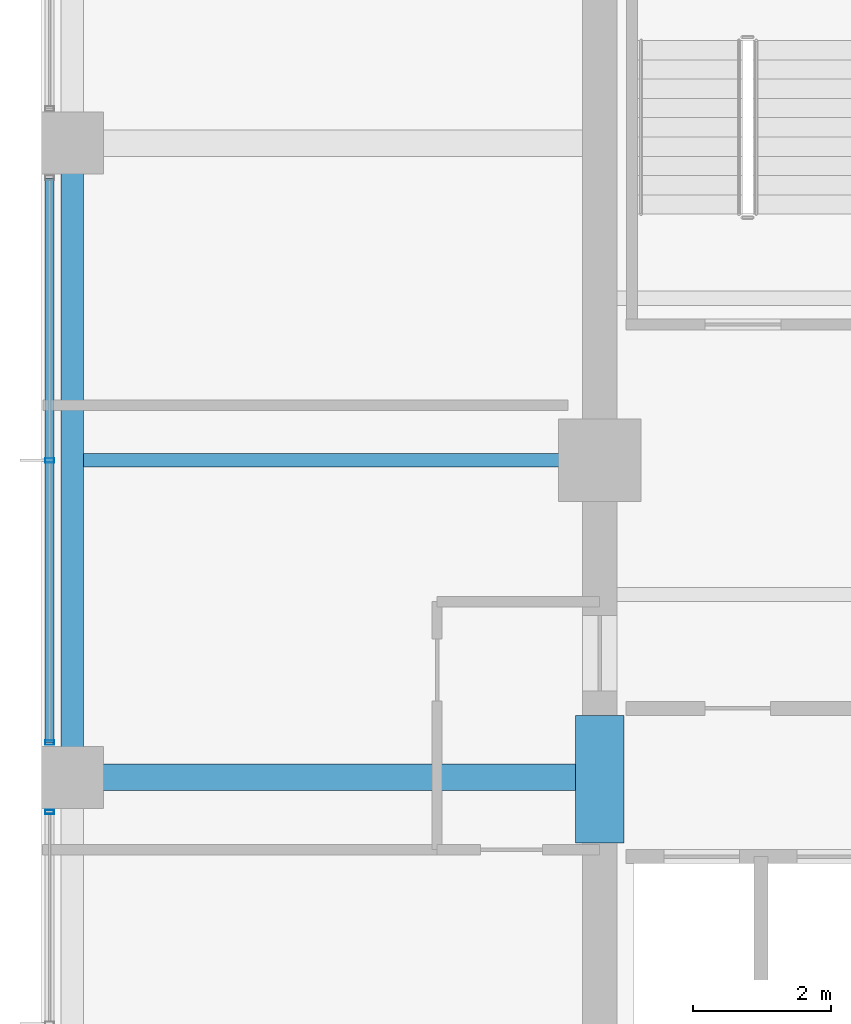
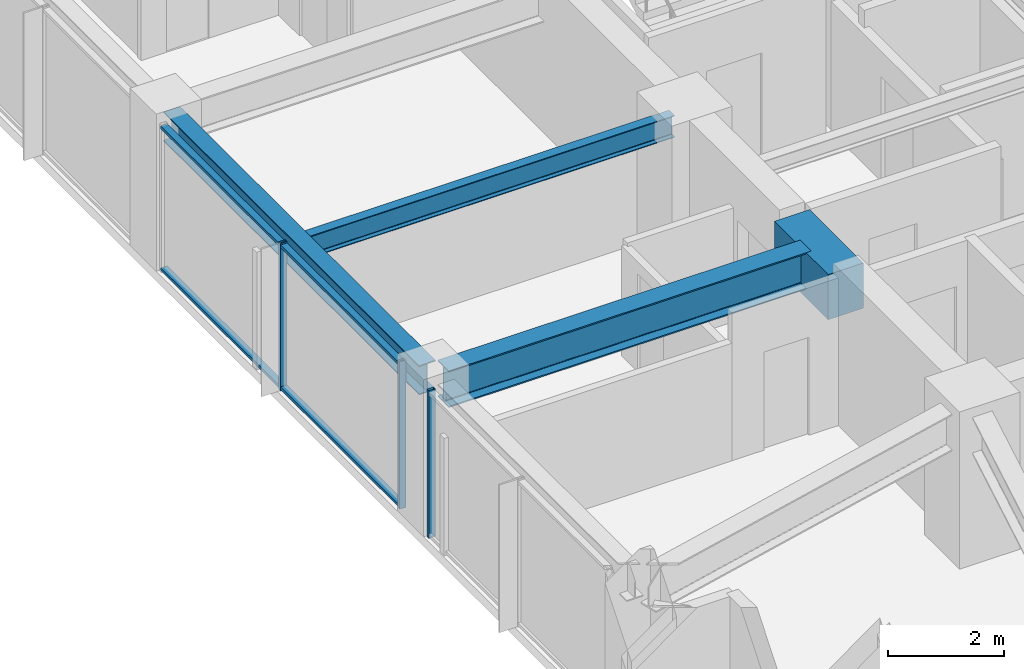
# One storey, part 9 of 31: 5 members, 4 beams, 2 elements without a shape of their own.
"""IFC4 building model written with IfcOpenShell, lengths in metres."""

from ifc_helpers import new_model, si_unit, direction, frame, origin, origin_2d, place, context, subcontext, project, spatial, rectangle, hollow_rectangle, i_section, extrude, material, material_profile, profile_set, type_object, element, aggregate, save


model = new_model("IFC4")

# Units and contexts
model_context = context("Model", 3, precision=1e-05, world=origin(), true_north=direction((0.0, 1.0)))
body_context = subcontext(model_context, "Body", "Model", "MODEL_VIEW")
ifc_project = project(units=[si_unit("LENGTHUNIT", "METRE"), si_unit("AREAUNIT", "SQUARE_METRE"), si_unit("VOLUMEUNIT", "CUBIC_METRE"), si_unit("PLANEANGLEUNIT", "RADIAN"), si_unit("MASSUNIT", "GRAM", prefix="KILO")], contexts=[model_context])

# Site, building, storey
site_placement = place(None, origin())
site = spatial("IfcSite", under=ifc_project, at=site_placement, CompositionType="ELEMENT")
building_placement = place(site_placement, origin())
building = spatial("IfcBuilding", under=site, at=building_placement, Name="Kolvaren Belvedere", CompositionType="ELEMENT")
storey_placement = place(building_placement, frame((0.0, 0.0, 138.199951171875)))
storey = spatial("IfcBuildingStorey", under=building, at=storey_placement, Name="L40", CompositionType="ELEMENT", Elevation=138.199951171875)

# Beams
ifc_material_1 = material(Name="Structural steel ASTM A992 Grade 50", Category="steel")
ifc_material_profile_1 = material_profile(ifc_material_1, i_section(OverallWidth=0.381103515625, OverallDepth=0.77294921875, WebThickness=0.0166015625, FlangeThickness=0.027099609375, FilletRadius=0.02392578125, at=origin_2d()), Name="W30X173")
ifc_profile_set_1 = profile_set([ifc_material_profile_1], Name="Structural steel ASTM A992 Grade 50")
beam_type_1 = type_object("IfcBeamType", Name="BM-GIRD-W30X173", PredefinedType="BEAM", material=ifc_profile_set_1)
beam_1_placement = place(storey_placement, frame((-10.14990234375, -4.60009765625, 2.713623046875), z_axis=(-1.0, 0.0, 0.0), x_axis=(0.0, -1.0, 0.0)))
element("IfcBeam", 1, at=beam_1_placement, inside=storey, type_object=beam_type_1, Name="L40 West Radial Girder M", PredefinedType="BEAM", context=body_context, shape_type="SweptSolid", body=[
    extrude(i_section(OverallWidth=0.381103515625, OverallDepth=0.77294921875, WebThickness=0.0166015625, FlangeThickness=0.027099609375, FilletRadius=0.02392578125, at=origin_2d()), origin(), (0.0, 0.0, 1.0), 7.197509765625),
])
ifc_material_2 = material(Name="Structural steel ASTM A992 Grade 50", Category="steel")
ifc_material_profile_2 = material_profile(ifc_material_2, i_section(OverallWidth=0.19091796875, OverallDepth=0.4599609375, WebThickness=0.010009765625, FlangeThickness=0.01611328125, FilletRadius=0.014892578125, at=origin_2d()), Name="W18X55")
ifc_profile_set_2 = profile_set([ifc_material_profile_2], Name="Structural steel ASTM A992 Grade 50")
beam_type_2 = type_object("IfcBeamType", Name="BM-JOIST-W18X55", PredefinedType="BEAM", material=ifc_profile_set_2)
beam_2_placement = place(storey_placement, frame((-10.14990234375, 0.0, 2.8701171875), z_axis=(-1.0, 0.0, 0.0), x_axis=(0.0, -1.0, 0.0)))
element("IfcBeam", 2, at=beam_2_placement, inside=storey, type_object=beam_type_2, Name="L40 West Centre Floor Beam", PredefinedType="BEAM", context=body_context, shape_type="SweptSolid", body=[
    extrude(i_section(OverallWidth=0.19091796875, OverallDepth=0.4599609375, WebThickness=0.010009765625, FlangeThickness=0.01611328125, FilletRadius=0.014892578125, at=origin_2d()), origin(), (0.0, 0.0, 1.0), 7.237548828125),
])
ifc_material_3 = material(Name="Concrete C60/75", Category="concrete")
ifc_material_profile_3 = material_profile(ifc_material_3, rectangle(XDim=0.699951171875, YDim=0.949951171875, at=origin_2d()), Name="RC 700X950")
ifc_profile_set_3 = profile_set([ifc_material_profile_3], Name="Concrete C60/75")
beam_type_3 = type_object("IfcBeamType", Name="BM-LINT-950", PredefinedType="LINTEL", material=ifc_profile_set_3)
beam_3_placement = place(storey_placement, frame((-9.89990234375, -5.550048828125, 2.625), z_axis=(0.0, 1.0, 0.0), x_axis=(-1.0, 0.0, 0.0)))
element("IfcBeam", 3, at=beam_3_placement, inside=storey, type_object=beam_type_3, Name="L40 West Core Coupling Lintel", PredefinedType="LINTEL", context=body_context, shape_type="SweptSolid", body=[
    extrude(rectangle(XDim=0.699951171875, YDim=0.949951171875, at=origin_2d()), origin(), (0.0, 0.0, 1.0), 1.85009765625),
])
ifc_material_4 = material(Name="Structural steel ASTM A992 Grade 50", Category="steel")
ifc_material_profile_4 = material_profile(ifc_material_4, i_section(OverallWidth=0.324951171875, OverallDepth=0.615966796875, WebThickness=0.013916015625, FlangeThickness=0.021484375, FilletRadius=0.02001953125, at=origin_2d()), Name="W24X117")
ifc_profile_set_4 = profile_set([ifc_material_profile_4], Name="Structural steel ASTM A992 Grade 50")
beam_type_4 = type_object("IfcBeamType", Name="BM-SPAN-W24X117", PredefinedType="SPANDREL", material=ifc_profile_set_4)
beam_4_placement = place(storey_placement, frame((-17.550048828125, 4.3974609375, 2.7919921875), z_axis=(0.0, -1.0, 0.0), x_axis=(1.0, 0.0, 0.0)))
element("IfcBeam", 4, at=beam_4_placement, inside=storey, type_object=beam_type_4, Name="L40 Perimeter Spandrel W3-W2", PredefinedType="SPANDREL", context=body_context, shape_type="SweptSolid", body=[
    extrude(i_section(OverallWidth=0.324951171875, OverallDepth=0.615966796875, WebThickness=0.013916015625, FlangeThickness=0.021484375, FilletRadius=0.02001953125, at=origin_2d()), origin(), (0.0, 0.0, 1.0), 8.794921875),
])

# Curtain wall, member
ifc_material_5 = material(Name="Anodised pale-metal aluminium AA 6063-T6", Category="aluminium")
curtain_wall_type = type_object("IfcCurtainWallType", Name="CW-Z3-WAIST", PredefinedType="NOTDEFINED", material=ifc_material_5)
curtain_wall_1_placement = place(storey_placement, origin())
curtain_wall_1 = element("IfcCurtainWall", 5, at=curtain_wall_1_placement, inside=storey, type_object=curtain_wall_type, Name="L40 Unitised Curtain Wall FCW-L40-W-B1", PredefinedType="NOTDEFINED")
ifc_material_6 = material(Name="Anodised pale-metal aluminium AA 6063-T6", Category="aluminium")
ifc_material_profile_5 = material_profile(ifc_material_6, hollow_rectangle(XDim=0.06494140625, YDim=0.1298828125, WallThickness=0.00390625, at=origin_2d()), Name="ALU-MUL-130X65")
ifc_profile_set_5 = profile_set([ifc_material_profile_5], Name="Anodised pale-metal aluminium AA 6063-T6")
member_type_1 = type_object("IfcMemberType", Name="CW-MUL-130", PredefinedType="MULLION", material=ifc_profile_set_5)
member_1_placement = place(storey_placement, frame((-17.8798828125, -5.1025390625, 0.0), z_axis=(0.0, 0.0, 1.0), x_axis=(0.0, 1.0, 0.0)))
member_1 = element("IfcMember", 6, at=member_1_placement, type_object=member_type_1, Name="FCW-L40-W-B1 Unitised Mullion 3", PredefinedType="MULLION", context=body_context, shape_type="SweptSolid", body=[
    extrude(hollow_rectangle(XDim=0.06494140625, YDim=0.1298828125, WallThickness=0.00390625, at=origin_2d()), origin(), (0.0, 0.0, 1.0), 3.10009765625),
])
aggregate(curtain_wall_1, [member_1])

# Curtain wall, members
curtain_wall_2_placement = place(storey_placement, origin())
curtain_wall_2 = element("IfcCurtainWall", 7, at=curtain_wall_2_placement, inside=storey, type_object=curtain_wall_type, Name="L40 Unitised Curtain Wall FCW-L40-W-B2", PredefinedType="NOTDEFINED")
member_2_placement = place(storey_placement, frame((-17.8798828125, -4.097412109375, 0.0), z_axis=(0.0, 0.0, 1.0), x_axis=(0.0, 1.0, 0.0)))
member_2 = element("IfcMember", 8, at=member_2_placement, type_object=member_type_1, Name="FCW-L40-W-B2 Unitised Mullion 1", PredefinedType="MULLION", context=body_context, shape_type="SweptSolid", body=[
    extrude(hollow_rectangle(XDim=0.06494140625, YDim=0.1298828125, WallThickness=0.00390625, at=origin_2d()), origin(), (0.0, 0.0, 1.0), 3.10009765625),
])
member_3_placement = place(storey_placement, frame((-17.8798828125, 0.0, 0.0), z_axis=(0.0, 0.0, 1.0), x_axis=(0.0, 1.0, 0.0)))
member_3 = element("IfcMember", 9, at=member_3_placement, type_object=member_type_1, Name="FCW-L40-W-B2 Unitised Mullion 2", PredefinedType="MULLION", context=body_context, shape_type="SweptSolid", body=[
    extrude(hollow_rectangle(XDim=0.06494140625, YDim=0.1298828125, WallThickness=0.00390625, at=origin_2d()), origin(), (0.0, 0.0, 1.0), 3.10009765625),
])
ifc_material_7 = material(Name="Anodised pale-metal aluminium AA 6063-T6", Category="aluminium")
ifc_material_profile_6 = material_profile(ifc_material_7, hollow_rectangle(XDim=0.06005859375, YDim=0.1298828125, WallThickness=0.00390625, at=origin_2d()), Name="ALU-TRN-130X60")
ifc_profile_set_6 = profile_set([ifc_material_profile_6], Name="Anodised pale-metal aluminium AA 6063-T6")
member_type_2 = type_object("IfcMemberType", Name="CW-TRN-130", PredefinedType="USERDEFINED", material=ifc_profile_set_6)
member_4_placement = place(storey_placement, frame((-17.8798828125, -4.097412109375, 0.06005859375), z_axis=(0.0, 1.0, 0.0), x_axis=(0.0, 0.0, 1.0)))
member_4 = element("IfcMember", 10, at=member_4_placement, type_object=member_type_2, Name="FCW-L40-W-B2 Sill Transom", ObjectType="TRANSOM", PredefinedType="USERDEFINED", context=body_context, shape_type="SweptSolid", body=[
    extrude(hollow_rectangle(XDim=0.06005859375, YDim=0.1298828125, WallThickness=0.00390625, at=origin_2d()), origin(), (0.0, 0.0, 1.0), 8.19482421875),
])
member_5_placement = place(storey_placement, frame((-17.8798828125, -4.097412109375, 3.0400390625), z_axis=(0.0, 1.0, 0.0), x_axis=(0.0, 0.0, 1.0)))
member_5 = element("IfcMember", 11, at=member_5_placement, type_object=member_type_2, Name="FCW-L40-W-B2 Head Transom", ObjectType="TRANSOM", PredefinedType="USERDEFINED", context=body_context, shape_type="SweptSolid", body=[
    extrude(hollow_rectangle(XDim=0.06005859375, YDim=0.1298828125, WallThickness=0.00390625, at=origin_2d()), origin(), (0.0, 0.0, 1.0), 8.19482421875),
])
aggregate(curtain_wall_2, [member_2, member_3, member_4, member_5])

save(model, "model.ifc")
